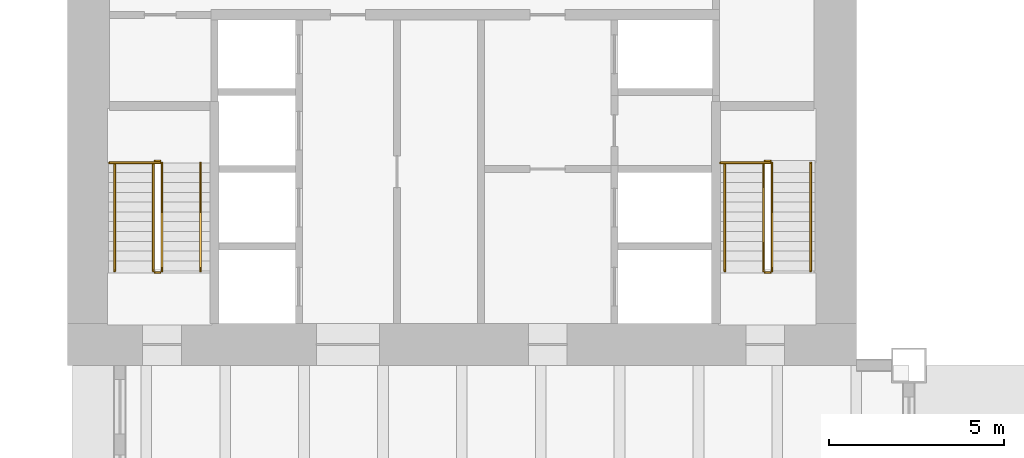
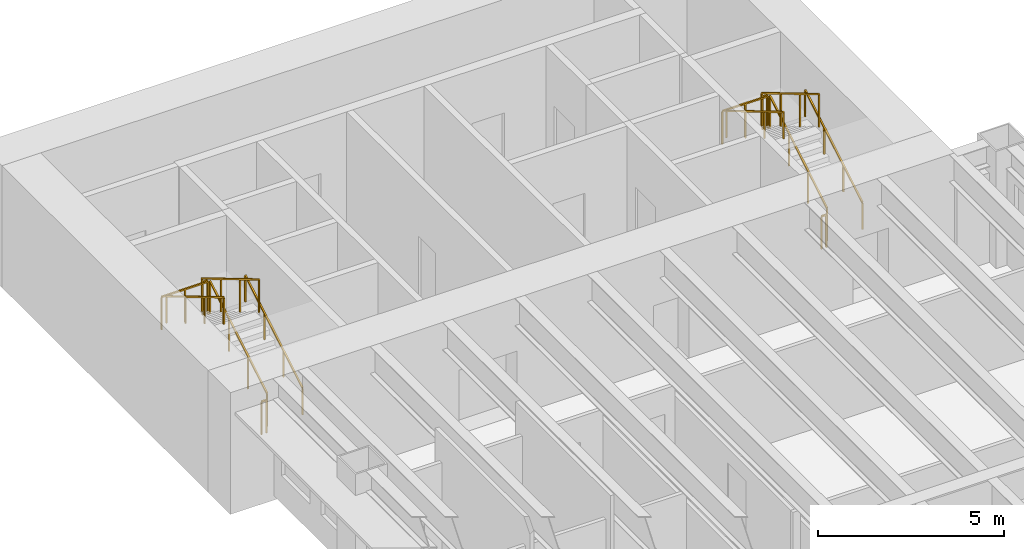
# One storey, part 16 of 16: 14 railings.
"""IFC4 building model written with IfcOpenShell, lengths in metres."""

from ifc_helpers import new_model, si_unit, direction, frame, origin, origin_2d, place, context, subcontext, project, spatial, rectangle, extrude, material, type_object, element, save


model = new_model("IFC4")

# Units and contexts
model_context = context("Model", 3, precision=1e-05, world=origin(), true_north=direction((0.0, 1.0)))
body_context = subcontext(model_context, "Body", "Model", "MODEL_VIEW")
ifc_project = project(units=[si_unit("LENGTHUNIT", "METRE"), si_unit("AREAUNIT", "SQUARE_METRE"), si_unit("VOLUMEUNIT", "CUBIC_METRE"), si_unit("PLANEANGLEUNIT", "RADIAN"), si_unit("MASSUNIT", "GRAM", prefix="KILO")], contexts=[model_context])

# Site, building, storey
site_placement = place(None, origin())
site = spatial("IfcSite", under=ifc_project, at=site_placement, CompositionType="ELEMENT")
building_placement = place(site_placement, origin())
building = spatial("IfcBuilding", under=site, at=building_placement, Name="Sennacour Bend Tower", CompositionType="ELEMENT")
storey_placement = place(building_placement, frame((0.0, 0.0, 111.0)))
storey = spatial("IfcBuildingStorey", under=building, at=storey_placement, Name="L25", CompositionType="ELEMENT", Elevation=111.0)

# Railings
ifc_material = material(Name="Stainless steel", Category="steel")
railing_type_1 = type_object("IfcRailingType", Name="RL-GUARD-1100", PredefinedType="GUARDRAIL", material=ifc_material)
railing_1_placement = place(storey_placement, frame((2.699951171875, 38.699951171875, 0.166748046875)))
element("IfcRailing", 1, at=railing_1_placement, inside=storey, type_object=railing_type_1, Name="L25 SB1 stair guard 1", PredefinedType="GUARDRAIL", context=body_context, shape_type="SweptSolid", body=[
    extrude(rectangle(XDim=0.048095703125, YDim=0.048095703125, at=origin_2d()), frame((0.0, 0.0, 1.076171875), z_axis=(0.0, 0.859308565015, 0.511457515432), x_axis=(-1.0, 0.0, 0.0)), (0.0, 0.0, 1.0), 3.58447265625),
    extrude(rectangle(XDim=0.0419921875, YDim=0.0419921875, at=origin_2d()), origin(), (0.0, 0.0, 1.0), 1.052001953125),
    extrude(rectangle(XDim=0.0419921875, YDim=0.0419921875, at=origin_2d()), frame((0.0, 1.026611328125, 0.611083984375)), (0.0, 0.0, 1.0), 1.052001953125),
    extrude(rectangle(XDim=0.0419921875, YDim=0.0419921875, at=origin_2d()), frame((0.0, 2.053466796875, 1.22216796875)), (0.0, 0.0, 1.0), 1.052001953125),
    extrude(rectangle(XDim=0.0419921875, YDim=0.0419921875, at=origin_2d()), frame((0.0, 3.080078125, 1.833251953125)), (0.0, 0.0, 1.0), 1.052001953125),
])
railing_2_placement = place(storey_placement, frame((2.64990234375, 41.830078125, 2.0)))
element("IfcRailing", 2, at=railing_2_placement, inside=storey, type_object=railing_type_1, Name="L25 SB1 stair guard 2", PredefinedType="GUARDRAIL", context=body_context, shape_type="SweptSolid", body=[
    extrude(rectangle(XDim=0.048095703125, YDim=0.048095703125, at=origin_2d()), frame((0.0, 0.0, 1.076171875), z_axis=(-1.0, 0.0, 0.0), x_axis=(0.0, -1.0, 0.0)), (0.0, 0.0, 1.0), 0.14990234375),
    extrude(rectangle(XDim=0.0419921875, YDim=0.0419921875, at=origin_2d()), origin(), (0.0, 0.0, 1.0), 1.052001953125),
    extrude(rectangle(XDim=0.0419921875, YDim=0.0419921875, at=origin_2d()), frame((-0.14990234375, 0.0, 0.0)), (0.0, 0.0, 1.0), 1.052001953125),
])
railing_3_placement = place(storey_placement, frame((2.449951171875, 41.780029296875, 2.166748046875)))
element("IfcRailing", 3, at=railing_3_placement, inside=storey, type_object=railing_type_1, Name="L25 SB1 stair guard 4", PredefinedType="GUARDRAIL", context=body_context, shape_type="SweptSolid", body=[
    extrude(rectangle(XDim=0.048095703125, YDim=0.048095703125, at=origin_2d()), frame((0.0, 0.0, 1.076171875), z_axis=(0.0, -0.859308565015, 0.511457515432), x_axis=(1.0, 0.0, 0.0)), (0.0, 0.0, 1.0), 3.58447265625),
    extrude(rectangle(XDim=0.0419921875, YDim=0.0419921875, at=origin_2d()), origin(), (0.0, 0.0, 1.0), 1.052001953125),
    extrude(rectangle(XDim=0.0419921875, YDim=0.0419921875, at=origin_2d()), frame((0.0, -1.026611328125, 0.611083984375)), (0.0, 0.0, 1.0), 1.052001953125),
    extrude(rectangle(XDim=0.0419921875, YDim=0.0419921875, at=origin_2d()), frame((0.0, -2.053466796875, 1.22216796875)), (0.0, 0.0, 1.0), 1.052001953125),
    extrude(rectangle(XDim=0.0419921875, YDim=0.0419921875, at=origin_2d()), frame((0.0, -3.080078125, 1.833251953125)), (0.0, 0.0, 1.0), 1.052001953125),
])
railing_4_placement = place(storey_placement, frame((2.64990234375, 38.64990234375, 0.0)))
element("IfcRailing", 4, at=railing_4_placement, inside=storey, type_object=railing_type_1, Name="L25 SB1 stair guard 5", PredefinedType="GUARDRAIL", context=body_context, shape_type="SweptSolid", body=[
    extrude(rectangle(XDim=0.048095703125, YDim=0.048095703125, at=origin_2d()), frame((0.0, 0.0, 1.076171875), z_axis=(-1.0, 0.0, 0.0), x_axis=(0.0, -1.0, 0.0)), (0.0, 0.0, 1.0), 0.14990234375),
    extrude(rectangle(XDim=0.0419921875, YDim=0.0419921875, at=origin_2d()), origin(), (0.0, 0.0, 1.0), 1.052001953125),
    extrude(rectangle(XDim=0.0419921875, YDim=0.0419921875, at=origin_2d()), frame((-0.14990234375, 0.0, 0.0)), (0.0, 0.0, 1.0), 1.052001953125),
])
railing_5_placement = place(storey_placement, frame((2.64990234375, 41.780029296875, 2.0)))
element("IfcRailing", 5, at=railing_5_placement, inside=storey, type_object=railing_type_1, Name="L25 SB1 landing edge guard 48", PredefinedType="GUARDRAIL", context=body_context, shape_type="SweptSolid", body=[
    extrude(rectangle(XDim=0.048095703125, YDim=0.048095703125, at=origin_2d()), frame((0.0, 0.0, 1.076171875), z_axis=(-1.0, 0.0, 0.0), x_axis=(0.0, -1.0, 0.0)), (0.0, 0.0, 1.0), 1.449951171875),
    extrude(rectangle(XDim=0.0419921875, YDim=0.0419921875, at=origin_2d()), origin(), (0.0, 0.0, 1.0), 1.052001953125),
    extrude(rectangle(XDim=0.0419921875, YDim=0.0419921875, at=origin_2d()), frame((-0.72509765625, 0.0, 0.0)), (0.0, 0.0, 1.0), 1.052001953125),
    extrude(rectangle(XDim=0.0419921875, YDim=0.0419921875, at=origin_2d()), frame((-1.449951171875, 0.0, 0.0)), (0.0, 0.0, 1.0), 1.052001953125),
])
railing_6_placement = place(storey_placement, frame((20.10009765625, 38.699951171875, 0.166748046875)))
element("IfcRailing", 6, at=railing_6_placement, inside=storey, type_object=railing_type_1, Name="L25 SB2 stair guard 1", PredefinedType="GUARDRAIL", context=body_context, shape_type="SweptSolid", body=[
    extrude(rectangle(XDim=0.048095703125, YDim=0.048095703125, at=origin_2d()), frame((0.0, 0.0, 1.076171875), z_axis=(0.0, 0.859308565015, 0.511457515432), x_axis=(-1.0, 0.0, 0.0)), (0.0, 0.0, 1.0), 3.58447265625),
    extrude(rectangle(XDim=0.0419921875, YDim=0.0419921875, at=origin_2d()), origin(), (0.0, 0.0, 1.0), 1.052001953125),
    extrude(rectangle(XDim=0.0419921875, YDim=0.0419921875, at=origin_2d()), frame((0.0, 1.026611328125, 0.611083984375)), (0.0, 0.0, 1.0), 1.052001953125),
    extrude(rectangle(XDim=0.0419921875, YDim=0.0419921875, at=origin_2d()), frame((0.0, 2.053466796875, 1.22216796875)), (0.0, 0.0, 1.0), 1.052001953125),
    extrude(rectangle(XDim=0.0419921875, YDim=0.0419921875, at=origin_2d()), frame((0.0, 3.080078125, 1.833251953125)), (0.0, 0.0, 1.0), 1.052001953125),
])
railing_7_placement = place(storey_placement, frame((20.050048828125, 41.830078125, 2.0)))
element("IfcRailing", 7, at=railing_7_placement, inside=storey, type_object=railing_type_1, Name="L25 SB2 stair guard 2", PredefinedType="GUARDRAIL", context=body_context, shape_type="SweptSolid", body=[
    extrude(rectangle(XDim=0.048095703125, YDim=0.048095703125, at=origin_2d()), frame((0.0, 0.0, 1.076171875), z_axis=(-1.0, 0.0, 0.0), x_axis=(0.0, -1.0, 0.0)), (0.0, 0.0, 1.0), 0.150146484375),
    extrude(rectangle(XDim=0.0419921875, YDim=0.0419921875, at=origin_2d()), origin(), (0.0, 0.0, 1.0), 1.052001953125),
    extrude(rectangle(XDim=0.0419921875, YDim=0.0419921875, at=origin_2d()), frame((-0.150146484375, 0.0, 0.0)), (0.0, 0.0, 1.0), 1.052001953125),
])
railing_8_placement = place(storey_placement, frame((19.85009765625, 41.780029296875, 2.166748046875)))
element("IfcRailing", 8, at=railing_8_placement, inside=storey, type_object=railing_type_1, Name="L25 SB2 stair guard 4", PredefinedType="GUARDRAIL", context=body_context, shape_type="SweptSolid", body=[
    extrude(rectangle(XDim=0.048095703125, YDim=0.048095703125, at=origin_2d()), frame((0.0, 0.0, 1.076171875), z_axis=(0.0, -0.859308565015, 0.511457515432), x_axis=(1.0, 0.0, 0.0)), (0.0, 0.0, 1.0), 3.58447265625),
    extrude(rectangle(XDim=0.0419921875, YDim=0.0419921875, at=origin_2d()), origin(), (0.0, 0.0, 1.0), 1.052001953125),
    extrude(rectangle(XDim=0.0419921875, YDim=0.0419921875, at=origin_2d()), frame((0.0, -1.026611328125, 0.611083984375)), (0.0, 0.0, 1.0), 1.052001953125),
    extrude(rectangle(XDim=0.0419921875, YDim=0.0419921875, at=origin_2d()), frame((0.0, -2.053466796875, 1.22216796875)), (0.0, 0.0, 1.0), 1.052001953125),
    extrude(rectangle(XDim=0.0419921875, YDim=0.0419921875, at=origin_2d()), frame((0.0, -3.080078125, 1.833251953125)), (0.0, 0.0, 1.0), 1.052001953125),
])
railing_9_placement = place(storey_placement, frame((20.050048828125, 38.64990234375, 0.0)))
element("IfcRailing", 9, at=railing_9_placement, inside=storey, type_object=railing_type_1, Name="L25 SB2 stair guard 5", PredefinedType="GUARDRAIL", context=body_context, shape_type="SweptSolid", body=[
    extrude(rectangle(XDim=0.048095703125, YDim=0.048095703125, at=origin_2d()), frame((0.0, 0.0, 1.076171875), z_axis=(-1.0, 0.0, 0.0), x_axis=(0.0, -1.0, 0.0)), (0.0, 0.0, 1.0), 0.150146484375),
    extrude(rectangle(XDim=0.0419921875, YDim=0.0419921875, at=origin_2d()), origin(), (0.0, 0.0, 1.0), 1.052001953125),
    extrude(rectangle(XDim=0.0419921875, YDim=0.0419921875, at=origin_2d()), frame((-0.150146484375, 0.0, 0.0)), (0.0, 0.0, 1.0), 1.052001953125),
])
railing_10_placement = place(storey_placement, frame((20.050048828125, 41.780029296875, 2.0)))
element("IfcRailing", 10, at=railing_10_placement, inside=storey, type_object=railing_type_1, Name="L25 SB2 landing edge guard 38", PredefinedType="GUARDRAIL", context=body_context, shape_type="SweptSolid", body=[
    extrude(rectangle(XDim=0.048095703125, YDim=0.048095703125, at=origin_2d()), frame((0.0, 0.0, 1.076171875), z_axis=(-1.0, 0.0, 0.0), x_axis=(0.0, -1.0, 0.0)), (0.0, 0.0, 1.0), 1.425048828125),
    extrude(rectangle(XDim=0.0419921875, YDim=0.0419921875, at=origin_2d()), origin(), (0.0, 0.0, 1.0), 1.052001953125),
    extrude(rectangle(XDim=0.0419921875, YDim=0.0419921875, at=origin_2d()), frame((-0.71240234375, 0.0, 0.0)), (0.0, 0.0, 1.0), 1.052001953125),
    extrude(rectangle(XDim=0.0419921875, YDim=0.0419921875, at=origin_2d()), frame((-1.425048828125, 0.0, 0.0)), (0.0, 0.0, 1.0), 1.052001953125),
])
railing_type_2 = type_object("IfcRailingType", Name="RL-HANDRAIL-900", PredefinedType="HANDRAIL", material=ifc_material)
railing_11_placement = place(storey_placement, frame((3.800048828125, 38.699951171875, 0.166748046875)))
element("IfcRailing", 11, at=railing_11_placement, inside=storey, type_object=railing_type_2, Name="L25 SB1 stair handrail 1", PredefinedType="HANDRAIL", context=body_context, shape_type="SweptSolid", body=[
    extrude(rectangle(XDim=0.048095703125, YDim=0.048095703125, at=origin_2d()), frame((0.0, 0.0, 0.8759765625), z_axis=(0.0, 0.859308565015, 0.511457515432), x_axis=(-1.0, 0.0, 0.0)), (0.0, 0.0, 1.0), 3.58447265625),
    extrude(rectangle(XDim=0.0419921875, YDim=0.0419921875, at=origin_2d()), origin(), (0.0, 0.0, 1.0), 0.851806640625),
    extrude(rectangle(XDim=0.0419921875, YDim=0.0419921875, at=origin_2d()), frame((0.0, 1.026611328125, 0.611083984375)), (0.0, 0.0, 1.0), 0.851806640625),
    extrude(rectangle(XDim=0.0419921875, YDim=0.0419921875, at=origin_2d()), frame((0.0, 2.053466796875, 1.22216796875)), (0.0, 0.0, 1.0), 0.851806640625),
    extrude(rectangle(XDim=0.0419921875, YDim=0.0419921875, at=origin_2d()), frame((0.0, 3.080078125, 1.833251953125)), (0.0, 0.0, 1.0), 0.851806640625),
])
railing_12_placement = place(storey_placement, frame((1.35009765625, 41.780029296875, 2.166748046875)))
element("IfcRailing", 12, at=railing_12_placement, inside=storey, type_object=railing_type_2, Name="L25 SB1 stair handrail 2", PredefinedType="HANDRAIL", context=body_context, shape_type="SweptSolid", body=[
    extrude(rectangle(XDim=0.048095703125, YDim=0.048095703125, at=origin_2d()), frame((0.0, 0.0, 0.8759765625), z_axis=(0.0, -0.859308565015, 0.511457515432), x_axis=(1.0, 0.0, 0.0)), (0.0, 0.0, 1.0), 3.58447265625),
    extrude(rectangle(XDim=0.0419921875, YDim=0.0419921875, at=origin_2d()), origin(), (0.0, 0.0, 1.0), 0.851806640625),
    extrude(rectangle(XDim=0.0419921875, YDim=0.0419921875, at=origin_2d()), frame((0.0, -1.026611328125, 0.611083984375)), (0.0, 0.0, 1.0), 0.851806640625),
    extrude(rectangle(XDim=0.0419921875, YDim=0.0419921875, at=origin_2d()), frame((0.0, -2.053466796875, 1.22216796875)), (0.0, 0.0, 1.0), 0.851806640625),
    extrude(rectangle(XDim=0.0419921875, YDim=0.0419921875, at=origin_2d()), frame((0.0, -3.080078125, 1.833251953125)), (0.0, 0.0, 1.0), 0.851806640625),
])
railing_13_placement = place(storey_placement, frame((21.199951171875, 38.699951171875, 0.166748046875)))
element("IfcRailing", 13, at=railing_13_placement, inside=storey, type_object=railing_type_2, Name="L25 SB2 stair handrail 1", PredefinedType="HANDRAIL", context=body_context, shape_type="SweptSolid", body=[
    extrude(rectangle(XDim=0.048095703125, YDim=0.048095703125, at=origin_2d()), frame((0.0, 0.0, 0.8759765625), z_axis=(0.0, 0.859308565015, 0.511457515432), x_axis=(-1.0, 0.0, 0.0)), (0.0, 0.0, 1.0), 3.58447265625),
    extrude(rectangle(XDim=0.0419921875, YDim=0.0419921875, at=origin_2d()), origin(), (0.0, 0.0, 1.0), 0.851806640625),
    extrude(rectangle(XDim=0.0419921875, YDim=0.0419921875, at=origin_2d()), frame((0.0, 1.026611328125, 0.611083984375)), (0.0, 0.0, 1.0), 0.851806640625),
    extrude(rectangle(XDim=0.0419921875, YDim=0.0419921875, at=origin_2d()), frame((0.0, 2.053466796875, 1.22216796875)), (0.0, 0.0, 1.0), 0.851806640625),
    extrude(rectangle(XDim=0.0419921875, YDim=0.0419921875, at=origin_2d()), frame((0.0, 3.080078125, 1.833251953125)), (0.0, 0.0, 1.0), 0.851806640625),
])
railing_14_placement = place(storey_placement, frame((18.75, 41.780029296875, 2.166748046875)))
element("IfcRailing", 14, at=railing_14_placement, inside=storey, type_object=railing_type_2, Name="L25 SB2 stair handrail 2", PredefinedType="HANDRAIL", context=body_context, shape_type="SweptSolid", body=[
    extrude(rectangle(XDim=0.048095703125, YDim=0.048095703125, at=origin_2d()), frame((0.0, 0.0, 0.8759765625), z_axis=(0.0, -0.859308565015, 0.511457515432), x_axis=(1.0, 0.0, 0.0)), (0.0, 0.0, 1.0), 3.58447265625),
    extrude(rectangle(XDim=0.0419921875, YDim=0.0419921875, at=origin_2d()), origin(), (0.0, 0.0, 1.0), 0.851806640625),
    extrude(rectangle(XDim=0.0419921875, YDim=0.0419921875, at=origin_2d()), frame((0.0, -1.026611328125, 0.611083984375)), (0.0, 0.0, 1.0), 0.851806640625),
    extrude(rectangle(XDim=0.0419921875, YDim=0.0419921875, at=origin_2d()), frame((0.0, -2.053466796875, 1.22216796875)), (0.0, 0.0, 1.0), 0.851806640625),
    extrude(rectangle(XDim=0.0419921875, YDim=0.0419921875, at=origin_2d()), frame((0.0, -3.080078125, 1.833251953125)), (0.0, 0.0, 1.0), 0.851806640625),
])

save(model, "model.ifc")
